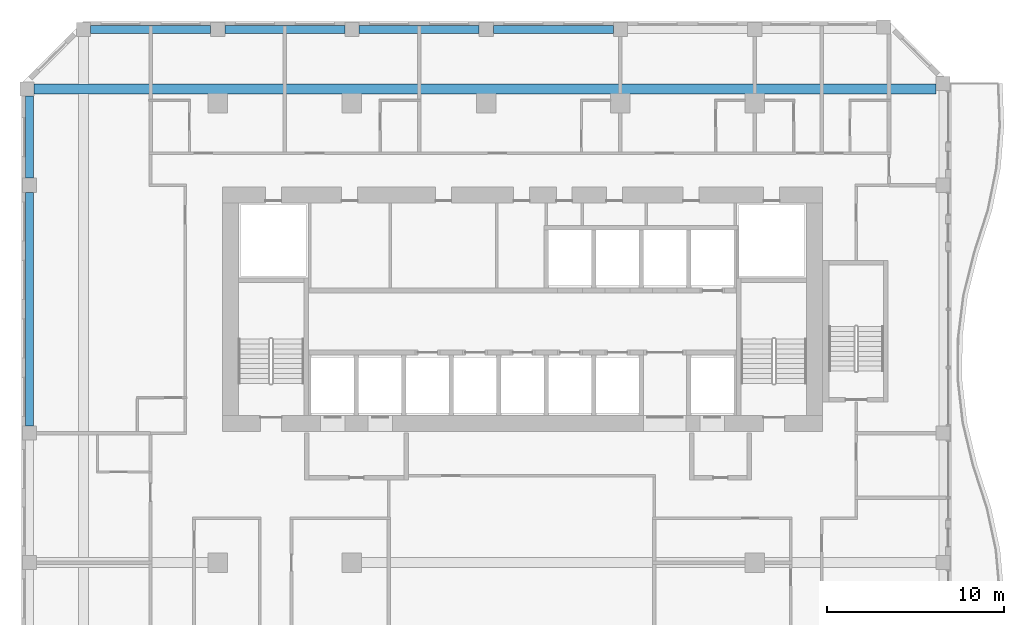
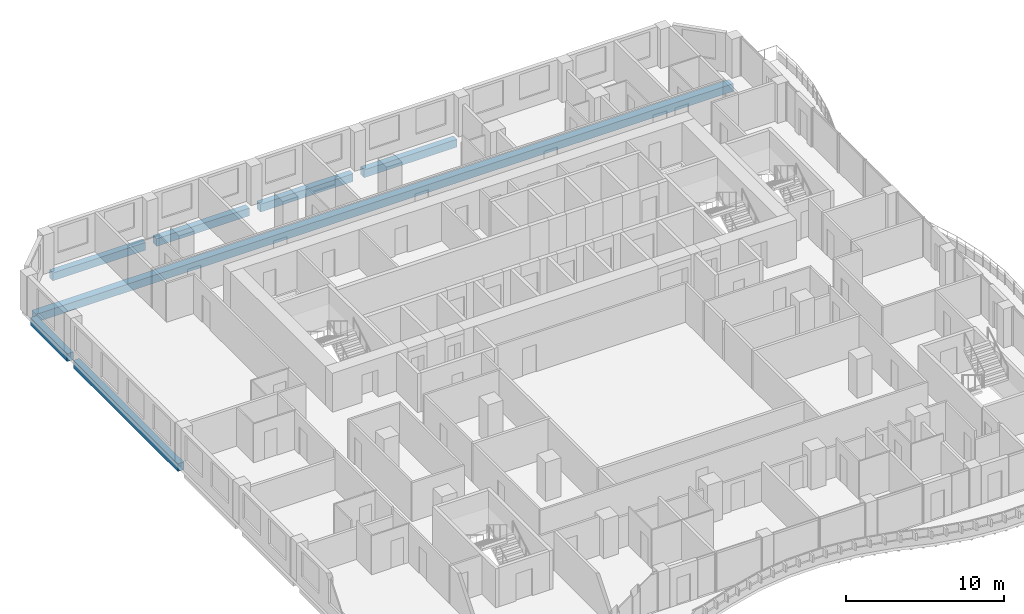
# One storey, part 7 of 23: 7 beams.
"""IFC4 building model written with IfcOpenShell, lengths in metres."""

import ifcopenshell
import ifcopenshell.guid

model = None  # the IFC model being written
_history = None  # IfcOwnerHistory: only IFC2X3 demands one
_inside = {}  # id of a spatial element -> (the spatial element, [elements in it])
_under = {}  # id of a project, library or spatial element -> (it, [spatial elements below it])
_declared = {}  # id of a project -> (the project, [libraries it declares])
_typed = {}  # id of a type object -> (the type object, [elements of that type])
_made_of = {}  # id of a material, layer set ... -> (it, [elements and type objects made of it])


def new_model(schema):
    """Start an empty IFC model of exactly this schema.

    Asked for "IFC4X3", IfcOpenShell would pick the latest addendum, in which some entities
    have other attributes; the version numbers below select the first issue.
    IFC2X3 requires an IfcOwnerHistory on every rooted entity: one is made here for all.
    """
    global model, _history
    if schema == "IFC4X3":
        model = ifcopenshell.file(schema_version=(4, 3, 0, 0))
    else:
        model = ifcopenshell.file(schema=schema)
    _inside.clear()
    _under.clear()
    _declared.clear()
    _typed.clear()
    _made_of.clear()
    _history = None
    if model.schema == "IFC2X3":
        org = make("IfcOrganization", Name="unknown")
        user = make(
            "IfcPersonAndOrganization",
            ThePerson=make("IfcPerson", FamilyName="unknown"),
            TheOrganization=org,
        )
        app = make(
            "IfcApplication",
            ApplicationDeveloper=org,
            Version="unknown",
            ApplicationFullName="unknown",
            ApplicationIdentifier="unknown",
        )
        _history = make(
            "IfcOwnerHistory",
            OwningUser=user,
            OwningApplication=app,
            ChangeAction="ADDED",
            CreationDate=0,
        )
    return model


def make(cls, **values):
    """One entity of the class cls with the attributes given. An attribute that is None is left unset."""
    return model.create_entity(
        cls, **{name: value for name, value in values.items() if value is not None}
    )


def rooted(cls, **values):
    """An entity with a GlobalId (a new one), such as an element, a storey or a relation."""
    return make(cls, GlobalId=ifcopenshell.guid.new(), OwnerHistory=_history, **values)


def si_unit(unit_type, name, prefix=None):
    """IfcSIUnit, for example si_unit("LENGTHUNIT", "METRE", prefix="MILLI")."""
    return make("IfcSIUnit", UnitType=unit_type, Prefix=prefix, Name=name)


def assignment(units):
    """IfcUnitAssignment: the units of a project."""
    return None if units is None else make("IfcUnitAssignment", Units=units)


def point(xyz):
    """IfcCartesianPoint."""
    return None if xyz is None else make("IfcCartesianPoint", Coordinates=xyz)


def direction(xyz):
    """IfcDirection."""
    return None if xyz is None else make("IfcDirection", DirectionRatios=xyz)


def frame(location, z_axis=None, x_axis=None):
    """IfcAxis2Placement3D, a coordinate frame: its origin and axes. An axis left out is left unset."""
    return make(
        "IfcAxis2Placement3D",
        Location=point(location),
        Axis=direction(z_axis),
        RefDirection=direction(x_axis),
    )


def frame_2d(location, x_axis=None):
    """IfcAxis2Placement2D, a coordinate frame in the plane: its origin and x axis."""
    return make(
        "IfcAxis2Placement2D", Location=point(location), RefDirection=direction(x_axis)
    )


def origin():
    """The frame at (0, 0, 0) with its axes left unset."""
    return frame((0.0, 0.0, 0.0))


def origin_2d():
    """The frame at (0, 0) in the plane with its x axis left unset."""
    return frame_2d((0.0, 0.0))


def place(relative_to, where):
    """IfcLocalPlacement: puts the frame where relative to a parent placement (None: the world)."""
    return make(
        "IfcLocalPlacement", PlacementRelTo=relative_to, RelativePlacement=where
    )


def context(
    kind, dimensions, precision=None, world=None, true_north=None, identifier=None
):
    """IfcGeometricRepresentationContext, for example the 3D "Model" context."""
    return make(
        "IfcGeometricRepresentationContext",
        ContextIdentifier=identifier,
        ContextType=kind,
        CoordinateSpaceDimension=dimensions,
        Precision=precision,
        WorldCoordinateSystem=world,
        TrueNorth=true_north,
    )


def subcontext(parent, identifier, kind, view, scale=None):
    """IfcGeometricRepresentationSubContext, for example "Body" below "Model"."""
    return make(
        "IfcGeometricRepresentationSubContext",
        ContextIdentifier=identifier,
        ContextType=kind,
        ParentContext=parent,
        TargetScale=scale,
        TargetView=view,
    )


def project(units=None, contexts=None):
    """IfcProject with its units and contexts."""
    return rooted(
        "IfcProject",
        Name="project",
        RepresentationContexts=contexts,
        UnitsInContext=assignment(units),
    )


def spatial(cls, under=None, at=None, **own):
    """A site, building, storey or space (cls), placed at a placement, below another one or the project."""
    s = rooted(cls, ObjectPlacement=at, **own)
    if under is not None:
        _under.setdefault(under.id(), (under, []))[1].append(s)
    return s


def profile(cls, at=None, kind="AREA", **sizes):
    """A parametric profile (cls). Its sizes go by their IFC names, for example OverallWidth=200.0."""
    return make(cls, ProfileType=kind, Position=at, **sizes)


def rectangle(**sizes):
    """IfcRectangleProfileDef."""
    return profile("IfcRectangleProfileDef", **sizes)


def extrude(swept, where, along, depth):
    """IfcExtrudedAreaSolid: the profile swept, set in the frame where, extruded along a direction by depth."""
    return make(
        "IfcExtrudedAreaSolid",
        SweptArea=swept,
        Position=where,
        ExtrudedDirection=direction(along),
        Depth=depth,
    )


def shape(context_of_items, identifier, shape_type, items):
    """IfcShapeRepresentation: the items that make up one representation, for example the "Body"."""
    return make(
        "IfcShapeRepresentation",
        ContextOfItems=context_of_items,
        RepresentationIdentifier=identifier,
        RepresentationType=shape_type,
        Items=items,
    )


def source(mapping_origin, context_of_items, identifier, shape_type, items):
    """IfcRepresentationMap: a shape defined once, which mapped items show again and again."""
    return make(
        "IfcRepresentationMap",
        MappingOrigin=mapping_origin,
        MappedRepresentation=shape(context_of_items, identifier, shape_type, items),
    )


def transform(
    local_origin,
    x_axis=None,
    y_axis=None,
    z_axis=None,
    scale=None,
    scale2=None,
    scale3=None,
    uniform=True,
):
    """IfcCartesianTransformationOperator3D, or its non-uniform kind. x_axis, y_axis, z_axis: its Axis1, 2, 3."""
    if uniform:
        return make(
            "IfcCartesianTransformationOperator3D",
            Axis1=direction(x_axis),
            Axis2=direction(y_axis),
            LocalOrigin=point(local_origin),
            Scale=scale,
            Axis3=direction(z_axis),
        )
    return make(
        "IfcCartesianTransformationOperator3DnonUniform",
        Axis1=direction(x_axis),
        Axis2=direction(y_axis),
        LocalOrigin=point(local_origin),
        Scale=scale,
        Axis3=direction(z_axis),
        Scale2=scale2,
        Scale3=scale3,
    )


def mapped(mapping_source, mapping_target):
    """IfcMappedItem: shows the shape of a source again, moved by a transform."""
    return make(
        "IfcMappedItem", MappingSource=mapping_source, MappingTarget=mapping_target
    )


def material(Name=None, Category=None):
    """IfcMaterial."""
    return make("IfcMaterial", Name=Name, Category=Category)


def material_profile(
    of_material, cross_section, Name=None, Category=None, Priority=None
):
    """IfcMaterialProfile: a cross section and its material."""
    return make(
        "IfcMaterialProfile",
        Name=Name,
        Material=of_material,
        Profile=cross_section,
        Priority=Priority,
        Category=Category,
    )


def profile_set(profiles, Name=None, composite=None):
    """IfcMaterialProfileSet."""
    return make(
        "IfcMaterialProfileSet",
        Name=Name,
        MaterialProfiles=profiles,
        CompositeProfile=composite,
    )


def made_of(thing, what):
    """Note that an element or type object is made of a material, layer set ...; save() writes the relation."""
    if what is not None:
        _made_of.setdefault(what.id(), (what, []))[1].append(thing)
    return thing


def type_object(cls, material=None, **own):
    """A type object (cls), such as IfcWallType, which elements share."""
    return made_of(rooted(cls, **own), material)


def element(
    cls,
    number,
    at=None,
    inside=None,
    cuts=None,
    type_object=None,
    material=None,
    context=None,
    identifier="Body",
    shape_type=None,
    held_by="IfcProductDefinitionShape",
    body=None,
    shapes=None,
    **own,
):
    """One element of the class cls, such as IfcWall. Its Tag is "e" and its number.

    at: its placement. inside: the storey or other place that contains it. cuts: it is an
    opening in that element (IfcRelVoidsElement). A single representation is given by context,
    identifier, shape_type and body (its items); several are given by shapes. held_by: the class
    of the entity that holds the representations. save() writes the other relations.
    """
    e = rooted(cls, Tag="e%d" % number, ObjectPlacement=at, **own)
    if body is not None:
        shapes = [shape(context, identifier, shape_type, body)]
    if shapes is not None:
        e.Representation = make(held_by, Representations=shapes)
    if inside is not None:
        _inside.setdefault(inside.id(), (inside, []))[1].append(e)
    if cuts is not None:
        rooted(
            "IfcRelVoidsElement", RelatingBuildingElement=cuts, RelatedOpeningElement=e
        )
    if type_object is not None:
        _typed.setdefault(type_object.id(), (type_object, []))[1].append(e)
    return made_of(e, material)


def aggregate(whole, parts):
    """IfcRelAggregates: a whole, such as a stair, and the parts it consists of."""
    return rooted("IfcRelAggregates", RelatingObject=whole, RelatedObjects=parts)


def save(model, path):
    """Write the relations noted so far, then the file.

    IfcRelAggregates (storeys below a building ...), IfcRelContainedInSpatialStructure (elements
    in a storey), IfcRelDefinesByType, IfcRelAssociatesMaterial and IfcRelDeclares: one each for
    every whole, place, type object, material and project.
    """
    for whole, parts in _under.values():
        aggregate(whole, parts)
    for where, things in _inside.values():
        rooted(
            "IfcRelContainedInSpatialStructure",
            RelatedElements=things,
            RelatingStructure=where,
        )
    for kind, things in _typed.values():
        rooted("IfcRelDefinesByType", RelatedObjects=things, RelatingType=kind)
    for what, things in _made_of.values():
        rooted("IfcRelAssociatesMaterial", RelatedObjects=things, RelatingMaterial=what)
    for by, libraries in _declared.values():
        rooted("IfcRelDeclares", RelatingContext=by, RelatedDefinitions=libraries)
    model.write(path)


model = new_model("IFC4")

# Units and contexts
model_context = context("Model", 3, precision=1e-05, world=origin(), true_north=direction((0.0, 1.0)))
body_context = subcontext(model_context, "Body", "Model", "MODEL_VIEW")
ifc_project = project(units=[si_unit("LENGTHUNIT", "METRE"), si_unit("AREAUNIT", "SQUARE_METRE"), si_unit("VOLUMEUNIT", "CUBIC_METRE"), si_unit("PLANEANGLEUNIT", "RADIAN"), si_unit("MASSUNIT", "GRAM", prefix="KILO")], contexts=[model_context])

# Site, building, storey
site_placement = place(None, origin())
site = spatial("IfcSite", under=ifc_project, at=site_placement, CompositionType="ELEMENT")
building_placement = place(site_placement, origin())
building = spatial("IfcBuilding", under=site, at=building_placement, Name="Kilnfold Tower and Market Hall", CompositionType="ELEMENT")
storey_placement = place(building_placement, frame((0.0, 0.0, 160.89990234375)))
storey = spatial("IfcBuildingStorey", under=building, at=storey_placement, Name="L37", CompositionType="ELEMENT", Elevation=160.89990234375)

# Beams
ifc_material_1 = material(Name="Concrete C45", Category="concrete")
ifc_material_profile_1 = material_profile(ifc_material_1, rectangle(XDim=0.449951171875, YDim=0.60009765625, at=origin_2d()), Name="RC 450x600")
ifc_profile_set_1 = profile_set([ifc_material_profile_1], Name="Concrete C45")
beam_type_1 = type_object("IfcBeamType", Name="EDGE BEAM 450X600 C45", PredefinedType="BEAM", material=ifc_profile_set_1)
shared_shape_1 = source(origin(), body_context, "Body", "SweptSolid", [
    extrude(rectangle(XDim=0.449951171875, YDim=0.60009765625, at=origin_2d()), origin(), (0.0, 0.0, 1.0), 6.783447265625),
])
for number, where, z_axis, x_axis, name in (
    (1, (-23.35009765625, 30.800048828125, -0.579833984375), (1.0, 0.0, 0.0), (0.0, 1.0, 0.0), "Beam EB600-B4.88"),
    (2, (-8.183349609375, 30.800048828125, -0.579833984375), (1.0, 0.0, 0.0), (0.0, 1.0, 0.0), "Beam EB600-B4.90"),
    (3, (-0.60009765625, 30.800048828125, -0.579833984375), (1.0, 0.0, 0.0), (0.0, 1.0, 0.0), "Beam EB600-B4.91"),
):
    element("IfcBeam", number, at=place(storey_placement, frame(where, z_axis=z_axis, x_axis=x_axis)), inside=storey, type_object=beam_type_1, Name=name, PredefinedType="BEAM", context=body_context, shape_type="MappedRepresentation", body=[
        mapped(shared_shape_1, transform((0.0, 0.0, 0.0))),
    ])
shared_shape_2 = source(origin(), body_context, "Body", "SweptSolid", [
    extrude(rectangle(XDim=0.449951171875, YDim=0.60009765625, at=origin_2d()), origin(), (0.0, 0.0, 1.0), 6.783203125),
])
beam_1_placement = place(storey_placement, frame((-15.7666015625, 30.800048828125, -0.579833984375), z_axis=(1.0, 0.0, 0.0), x_axis=(0.0, 1.0, 0.0)))
element("IfcBeam", 4, at=beam_1_placement, inside=storey, type_object=beam_type_1, Name="Beam EB600-B4.89", PredefinedType="BEAM", context=body_context, shape_type="MappedRepresentation", body=[
    mapped(shared_shape_2, transform((0.0, 0.0, 0.0))),
])
ifc_material_2 = material(Name="Concrete C45", Category="concrete")
ifc_material_profile_2 = material_profile(ifc_material_2, rectangle(XDim=0.550048828125, YDim=0.60009765625, at=origin_2d()), Name="RC 550x600")
ifc_profile_set_2 = profile_set([ifc_material_profile_2], Name="Concrete C45")
beam_type_2 = type_object("IfcBeamType", Name="BEAM 550X600 C45", PredefinedType="BEAM", material=ifc_profile_set_2)
shared_shape_3 = source(origin(), body_context, "Body", "SweptSolid", [
    extrude(rectangle(XDim=0.550048828125, YDim=0.60009765625, at=origin_2d()), origin(), (0.0, 0.0, 1.0), 50.931640625),
])
beam_2_placement = place(storey_placement, frame((-26.53173828125, 27.429931640625, -0.579833984375), z_axis=(1.0, 0.0, 0.0), x_axis=(0.0, 1.0, 0.0)))
element("IfcBeam", 5, at=beam_2_placement, inside=storey, type_object=beam_type_2, Name="Beam BB600-B4.87", PredefinedType="BEAM", context=body_context, shape_type="MappedRepresentation", body=[
    mapped(shared_shape_3, transform((0.0, 0.0, 0.0))),
])
shared_shape_4 = source(origin(), body_context, "Body", "SweptSolid", [
    extrude(rectangle(XDim=0.449951171875, YDim=0.60009765625, at=origin_2d()), origin(), (0.0, 0.0, 1.0), 13.2001953125),
])
beam_3_placement = place(storey_placement, frame((-26.800048828125, 8.39990234375, -0.579833984375), z_axis=(0.0, 1.0, 0.0), x_axis=(-1.0, 0.0, 0.0)))
element("IfcBeam", 6, at=beam_3_placement, inside=storey, type_object=beam_type_1, Name="Beam EB600-B4.97", PredefinedType="BEAM", context=body_context, shape_type="MappedRepresentation", body=[
    mapped(shared_shape_4, transform((0.0, 0.0, 0.0))),
])
shared_shape_5 = source(origin(), body_context, "Body", "SweptSolid", [
    extrude(rectangle(XDim=0.449951171875, YDim=0.60009765625, at=origin_2d()), origin(), (0.0, 0.0, 1.0), 4.6318359375),
])
beam_4_placement = place(storey_placement, frame((-26.800048828125, 22.39990234375, -0.579833984375), z_axis=(0.0, 1.0, 0.0), x_axis=(-1.0, 0.0, 0.0)))
element("IfcBeam", 7, at=beam_4_placement, inside=storey, type_object=beam_type_1, Name="Beam EB600-B4.98", PredefinedType="BEAM", context=body_context, shape_type="MappedRepresentation", body=[
    mapped(shared_shape_5, transform((0.0, 0.0, 0.0))),
])

save(model, "model.ifc")
